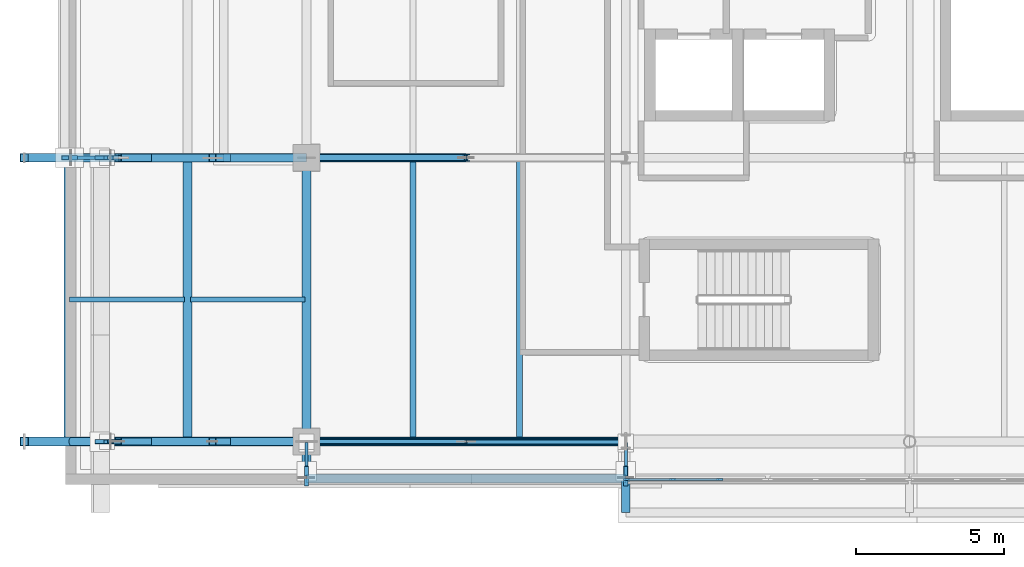
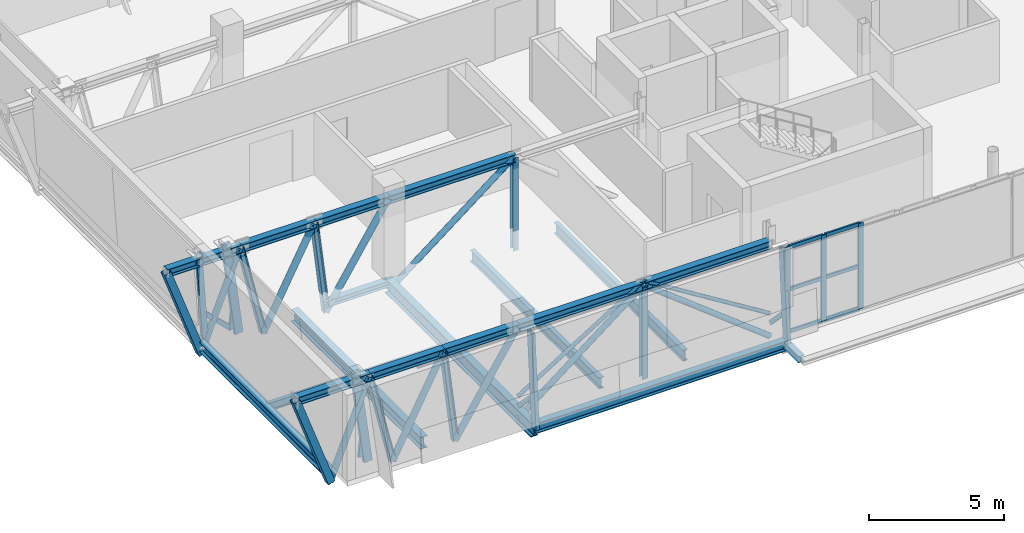
# One storey, part 13 of 57: 47 members, 10 beams, 1 element without a shape of its own.
"""IFC4 building model written with IfcOpenShell, lengths in metres."""

from ifc_helpers import new_model, si_unit, direction, frame, origin, origin_2d, place, context, subcontext, project, spatial, rectangle, hollow_rectangle, hollow_circle, i_section, extrude, material, layer, layer_set, material_profile, profile_set, type_object, element, aggregate, save


model = new_model("IFC4")

# Units and contexts
model_context = context("Model", 3, precision=1e-05, world=origin(), true_north=direction((0.0, 1.0)))
body_context = subcontext(model_context, "Body", "Model", "MODEL_VIEW")
ifc_project = project(units=[si_unit("LENGTHUNIT", "METRE"), si_unit("AREAUNIT", "SQUARE_METRE"), si_unit("VOLUMEUNIT", "CUBIC_METRE"), si_unit("PLANEANGLEUNIT", "RADIAN"), si_unit("MASSUNIT", "GRAM", prefix="KILO")], contexts=[model_context])

# Site, building, storey
site_placement = place(None, origin())
site = spatial("IfcSite", under=ifc_project, at=site_placement, CompositionType="ELEMENT")
building_placement = place(site_placement, origin())
building = spatial("IfcBuilding", under=site, at=building_placement, Name="Zereglee Splitstone Museum", CompositionType="ELEMENT")
storey_placement = place(building_placement, frame((0.0, 0.0, 17.10009765625)))
storey = spatial("IfcBuildingStorey", under=building, at=storey_placement, Name="L03", CompositionType="ELEMENT", Elevation=17.10009765625)

# Members
ifc_material_1 = material(Name="Steel S355J2H", Category="steel")
ifc_material_profile_1 = material_profile(ifc_material_1, hollow_circle(Radius=0.084228515625, WallThickness=0.008056640625, at=origin_2d()), Name="CHS 168.3x8")
ifc_profile_set_1 = profile_set([ifc_material_profile_1], Name="Steel S355J2H")
member_type_1 = type_object("IfcMemberType", Name="TB-05", PredefinedType="BRACE", material=ifc_profile_set_1)
for number, where, z_axis, x_axis, name in (
    (1, (9.60009765625, 0.0, 0.119873046875), (0.849044741702, 0.0, 0.528320950359), (0.0, 1.0, 0.0), "Lateral Braced Frame Chevron L03-003A"),
    (2, (20.39990234375, 0.0, 0.119873046875), (-0.849044741702, 0.0, 0.528320950359), (0.0, -1.0, 0.0), "Lateral Braced Frame Chevron L03-003B"),
):
    element("IfcMember", number, at=place(storey_placement, frame(where, z_axis=z_axis, x_axis=x_axis)), inside=storey, type_object=member_type_1, Name=name, PredefinedType="BRACE", context=body_context, shape_type="SweptSolid", body=[
        extrude(hollow_circle(Radius=0.084228515625, WallThickness=0.008056640625, at=origin_2d()), origin(), (0.0, 0.0, 1.0), 6.35986328125),
    ])
ifc_material_profile_2 = material_profile(ifc_material_1, hollow_circle(Radius=0.122314453125, WallThickness=0.012451171875, at=origin_2d()), Name="CHS 244.5x12.5")
ifc_profile_set_2 = profile_set([ifc_material_profile_2], Name="Steel S355J2H")
member_type_2 = type_object("IfcMemberType", Name="TB-02", PredefinedType="BRACE", material=ifc_profile_set_2)
for number, where, z_axis, x_axis, name in (
    (3, (9.60009765625, 0.0, -0.900146484375), (0.789350295703, 0.0, 0.613943084229), (0.0, 1.0, 0.0), "Cantilever Truss CT-01 Web Brace L03-4"),
    (4, (20.39990234375, 0.0, -0.900146484375), (-0.789350295703, 0.0, 0.613943084229), (0.0, -1.0, 0.0), "Cantilever Truss CT-01 Web Brace L03-5"),
    (5, (9.60009765625, 9.60009765625, -0.900146484375), (0.789350295703, 0.0, 0.613943084229), (0.0, 1.0, 0.0), "Cantilever Truss CT-02 Web Brace L03-4"),
):
    element("IfcMember", number, at=place(storey_placement, frame(where, z_axis=z_axis, x_axis=x_axis)), inside=storey, type_object=member_type_2, Name=name, PredefinedType="BRACE", context=body_context, shape_type="SweptSolid", body=[
        extrude(hollow_circle(Radius=0.122314453125, WallThickness=0.012451171875, at=origin_2d()), origin(), (0.0, 0.0, 1.0), 6.841064453125),
    ])
ifc_material_profile_3 = material_profile(ifc_material_1, hollow_circle(Radius=0.136474609375, WallThickness=0.012451171875, at=origin_2d()), Name="CHS 273.0x12.5")
ifc_profile_set_3 = profile_set([ifc_material_profile_3], Name="Steel S355J2H")
member_type_3 = type_object("IfcMemberType", Name="TB-01", PredefinedType="BRACE", material=ifc_profile_set_3)
member_1_placement = place(storey_placement, frame((1.550048828125, 0.0, -0.900146484375), z_axis=(0.372032488068, 0.0, 0.928219708809), x_axis=(0.0, 1.0, 0.0)))
element("IfcMember", 6, at=member_1_placement, inside=storey, type_object=member_type_3, Name="Cantilever Truss CT-01 Web Brace L03-1", PredefinedType="BRACE", context=body_context, shape_type="SweptSolid", body=[
    extrude(hollow_circle(Radius=0.136474609375, WallThickness=0.012451171875, at=origin_2d()), origin(), (0.0, 0.0, 1.0), 4.524658203125),
])
member_2_placement = place(storey_placement, frame((4.2333984375, 0.0, -0.900146484375), z_axis=(0.461248800946, 0.0, 0.887270840063), x_axis=(0.0, 1.0, 0.0)))
element("IfcMember", 7, at=member_2_placement, inside=storey, type_object=member_type_3, Name="Cantilever Truss CT-01 Web Brace L03-2", PredefinedType="BRACE", context=body_context, shape_type="SweptSolid", body=[
    extrude(hollow_circle(Radius=0.136474609375, WallThickness=0.012451171875, at=origin_2d()), origin(), (0.0, 0.0, 1.0), 4.733642578125),
])
member_3_placement = place(storey_placement, frame((6.916748046875, 0.0, -0.900146484375), z_axis=(0.538396041065, 0.0, 0.842691938353), x_axis=(0.0, 1.0, 0.0)))
element("IfcMember", 8, at=member_3_placement, inside=storey, type_object=member_type_3, Name="Cantilever Truss CT-01 Web Brace L03-3", PredefinedType="BRACE", context=body_context, shape_type="SweptSolid", body=[
    extrude(hollow_circle(Radius=0.136474609375, WallThickness=0.012451171875, at=origin_2d()), origin(), (0.0, 0.0, 1.0), 4.98388671875),
])
member_4_placement = place(storey_placement, frame((1.550048828125, 9.60009765625, -0.900146484375), z_axis=(0.372032488068, 0.0, 0.928219708809), x_axis=(0.0, 1.0, 0.0)))
element("IfcMember", 9, at=member_4_placement, inside=storey, type_object=member_type_3, Name="Cantilever Truss CT-02 Web Brace L03-1", PredefinedType="BRACE", context=body_context, shape_type="SweptSolid", body=[
    extrude(hollow_circle(Radius=0.136474609375, WallThickness=0.012451171875, at=origin_2d()), origin(), (0.0, 0.0, 1.0), 4.524658203125),
])
member_5_placement = place(storey_placement, frame((4.2333984375, 9.60009765625, -0.900146484375), z_axis=(0.461248800946, 0.0, 0.887270840063), x_axis=(0.0, 1.0, 0.0)))
element("IfcMember", 10, at=member_5_placement, inside=storey, type_object=member_type_3, Name="Cantilever Truss CT-02 Web Brace L03-2", PredefinedType="BRACE", context=body_context, shape_type="SweptSolid", body=[
    extrude(hollow_circle(Radius=0.136474609375, WallThickness=0.012451171875, at=origin_2d()), origin(), (0.0, 0.0, 1.0), 4.733642578125),
])
member_6_placement = place(storey_placement, frame((6.916748046875, 9.60009765625, -0.900146484375), z_axis=(0.538396041065, 0.0, 0.842691938353), x_axis=(0.0, 1.0, 0.0)))
element("IfcMember", 11, at=member_6_placement, inside=storey, type_object=member_type_3, Name="Cantilever Truss CT-02 Web Brace L03-3", PredefinedType="BRACE", context=body_context, shape_type="SweptSolid", body=[
    extrude(hollow_circle(Radius=0.136474609375, WallThickness=0.012451171875, at=origin_2d()), origin(), (0.0, 0.0, 1.0), 4.98388671875),
])

# Curtain wall, members
ifc_material_2 = material(Name="Triple-glazed low-E argon glass and bronze-anodised aluminium", Category="aluminium")
ifc_layer = layer(ifc_material_2, 0.219970703125)
ifc_layer_set = layer_set([ifc_layer], Name="Triple-glazed low-E argon glass and bronze-anodised aluminium")
curtain_wall_type = type_object("IfcCurtainWallType", Name="CW-0476-390", PredefinedType="USERDEFINED", material=ifc_layer_set)
curtain_wall_placement = place(storey_placement, origin())
curtain_wall = element("IfcCurtainWall", 12, at=curtain_wall_placement, inside=storey, type_object=curtain_wall_type, Name="Glazed Curtain Wall CW-0476-390 (L03)", ObjectType="GLAZED CURTAIN WALL", PredefinedType="USERDEFINED")
ifc_material_3 = material(Name="Thermally broken bronze-anodised aluminium", Category="aluminium")
ifc_material_profile_4 = material_profile(ifc_material_3, rectangle(XDim=0.074951171875, YDim=0.219970703125, at=origin_2d()), Name="CW MULL 75x220")
ifc_profile_set_4 = profile_set([ifc_material_profile_4], Name="Thermally broken bronze-anodised aluminium")
member_type_4 = type_object("IfcMemberType", Name="CWM-02", PredefinedType="MULLION", material=ifc_profile_set_4)
member_7_placement = place(storey_placement, frame((20.4375, -1.280029296875, 0.0), z_axis=(0.0, 0.0, 1.0), x_axis=(0.0, 1.0, 0.0)))
member_7 = element("IfcMember", 13, at=member_7_placement, type_object=member_type_4, Name="CW-0476-390 mullion 1", PredefinedType="MULLION", context=body_context, shape_type="SweptSolid", body=[
    extrude(rectangle(XDim=0.074951171875, YDim=0.219970703125, at=origin_2d()), origin(), (0.0, 0.0, 1.0), 3.89990234375),
])
member_8_placement = place(storey_placement, frame((21.986572265625, -1.280029296875, 0.0), z_axis=(0.0, 0.0, 1.0), x_axis=(0.0, 1.0, 0.0)))
member_8 = element("IfcMember", 14, at=member_8_placement, type_object=member_type_4, Name="CW-0476-390 mullion 2", PredefinedType="MULLION", context=body_context, shape_type="SweptSolid", body=[
    extrude(rectangle(XDim=0.074951171875, YDim=0.219970703125, at=origin_2d()), origin(), (0.0, 0.0, 1.0), 3.89990234375),
])
member_9_placement = place(storey_placement, frame((23.5732421875, -1.280029296875, 0.0), z_axis=(0.0, 0.0, 1.0), x_axis=(0.0, 1.0, 0.0)))
member_9 = element("IfcMember", 15, at=member_9_placement, type_object=member_type_4, Name="CW-0476-390 mullion 3", PredefinedType="MULLION", context=body_context, shape_type="SweptSolid", body=[
    extrude(rectangle(XDim=0.074951171875, YDim=0.219970703125, at=origin_2d()), origin(), (0.0, 0.0, 1.0), 3.89990234375),
])
ifc_material_profile_5 = material_profile(ifc_material_3, rectangle(XDim=0.074951171875, YDim=0.1650390625, at=origin_2d()), Name="CW TRAN 75x165")
ifc_profile_set_5 = profile_set([ifc_material_profile_5], Name="Thermally broken bronze-anodised aluminium")
member_type_5 = type_object("IfcMemberType", Name="CWT-02", PredefinedType="USERDEFINED", material=ifc_profile_set_5)
member_10_placement = place(storey_placement, frame((20.47509765625, -1.280029296875, 0.037353515625), z_axis=(1.0, 0.0, 0.0), x_axis=(0.0, 1.0, 0.0)))
member_10 = element("IfcMember", 16, at=member_10_placement, type_object=member_type_5, Name="CW-0476-390 transom 1.1", ObjectType="TRANSOM", PredefinedType="USERDEFINED", context=body_context, shape_type="SweptSolid", body=[
    extrude(rectangle(XDim=0.074951171875, YDim=0.1650390625, at=origin_2d()), origin(), (0.0, 0.0, 1.0), 1.47412109375),
])
member_11_placement = place(storey_placement, frame((20.47509765625, -1.280029296875, 1.949951171875), z_axis=(1.0, 0.0, 0.0), x_axis=(0.0, 1.0, 0.0)))
member_11 = element("IfcMember", 17, at=member_11_placement, type_object=member_type_5, Name="CW-0476-390 transom 1.2", ObjectType="TRANSOM", PredefinedType="USERDEFINED", context=body_context, shape_type="SweptSolid", body=[
    extrude(rectangle(XDim=0.074951171875, YDim=0.1650390625, at=origin_2d()), origin(), (0.0, 0.0, 1.0), 1.47412109375),
])
member_12_placement = place(storey_placement, frame((20.47509765625, -1.280029296875, 3.8623046875), z_axis=(1.0, 0.0, 0.0), x_axis=(0.0, 1.0, 0.0)))
member_12 = element("IfcMember", 18, at=member_12_placement, type_object=member_type_5, Name="CW-0476-390 transom 1.3", ObjectType="TRANSOM", PredefinedType="USERDEFINED", context=body_context, shape_type="SweptSolid", body=[
    extrude(rectangle(XDim=0.074951171875, YDim=0.1650390625, at=origin_2d()), origin(), (0.0, 0.0, 1.0), 1.47412109375),
])
member_13_placement = place(storey_placement, frame((22.024169921875, -1.280029296875, 0.037353515625), z_axis=(1.0, 0.0, 0.0), x_axis=(0.0, 1.0, 0.0)))
member_13 = element("IfcMember", 19, at=member_13_placement, type_object=member_type_5, Name="CW-0476-390 transom 2.1", ObjectType="TRANSOM", PredefinedType="USERDEFINED", context=body_context, shape_type="SweptSolid", body=[
    extrude(rectangle(XDim=0.074951171875, YDim=0.1650390625, at=origin_2d()), origin(), (0.0, 0.0, 1.0), 1.51171875),
])
member_14_placement = place(storey_placement, frame((22.024169921875, -1.280029296875, 1.949951171875), z_axis=(1.0, 0.0, 0.0), x_axis=(0.0, 1.0, 0.0)))
member_14 = element("IfcMember", 20, at=member_14_placement, type_object=member_type_5, Name="CW-0476-390 transom 2.2", ObjectType="TRANSOM", PredefinedType="USERDEFINED", context=body_context, shape_type="SweptSolid", body=[
    extrude(rectangle(XDim=0.074951171875, YDim=0.1650390625, at=origin_2d()), origin(), (0.0, 0.0, 1.0), 1.51171875),
])
member_15_placement = place(storey_placement, frame((22.024169921875, -1.280029296875, 3.8623046875), z_axis=(1.0, 0.0, 0.0), x_axis=(0.0, 1.0, 0.0)))
member_15 = element("IfcMember", 21, at=member_15_placement, type_object=member_type_5, Name="CW-0476-390 transom 2.3", ObjectType="TRANSOM", PredefinedType="USERDEFINED", context=body_context, shape_type="SweptSolid", body=[
    extrude(rectangle(XDim=0.074951171875, YDim=0.1650390625, at=origin_2d()), origin(), (0.0, 0.0, 1.0), 1.51171875),
])
aggregate(curtain_wall, [member_7, member_8, member_9, member_10, member_11, member_12, member_13, member_14, member_15])

# Members
ifc_material_4 = material(Name="Steel S355J2", Category="steel")
ifc_material_profile_6 = material_profile(ifc_material_4, i_section(OverallWidth=0.300048828125, OverallDepth=0.360107421875, WebThickness=0.012451171875, FlangeThickness=0.0224609375, FilletRadius=0.027099609375, at=origin_2d()), Name="HE 360 B")
ifc_profile_set_6 = profile_set([ifc_material_profile_6], Name="Steel S355J2")
member_type_6 = type_object("IfcMemberType", Name="TC-06", PredefinedType="CHORD", material=ifc_profile_set_6)
for number, where, z_axis, x_axis, name in (
    (22, (0.050048828125, 0.0, 3.2998046875), (1.0, 0.0, 0.0), (0.0, 1.0, 0.0), "Cantilever Truss CT-01 Top Chord L03-1"),
    (23, (3.2333984375, 0.0, 3.2998046875), (1.0, 0.0, 0.0), (0.0, 1.0, 0.0), "Cantilever Truss CT-01 Top Chord L03-2"),
    (24, (6.416748046875, 0.0, 3.2998046875), (1.0, 0.0, 0.0), (0.0, 1.0, 0.0), "Cantilever Truss CT-01 Top Chord L03-3"),
):
    element("IfcMember", number, at=place(storey_placement, frame(where, z_axis=z_axis, x_axis=x_axis)), inside=storey, type_object=member_type_6, Name=name, PredefinedType="CHORD", context=body_context, shape_type="SweptSolid", body=[
        extrude(i_section(OverallWidth=0.300048828125, OverallDepth=0.360107421875, WebThickness=0.012451171875, FlangeThickness=0.0224609375, FilletRadius=0.027099609375, at=origin_2d()), origin(), (0.0, 0.0, 1.0), 3.183349609375),
    ])
for number, where, z_axis, x_axis, name in (
    (25, (9.60009765625, 0.0, 3.2998046875), (1.0, 0.0, 0.0), (0.0, 1.0, 0.0), "Cantilever Truss CT-01 Top Chord L03-4"),
    (26, (15.0, 0.0, 3.2998046875), (1.0, 0.0, 0.0), (0.0, 1.0, 0.0), "Cantilever Truss CT-01 Top Chord L03-5"),
):
    element("IfcMember", number, at=place(storey_placement, frame(where, z_axis=z_axis, x_axis=x_axis)), inside=storey, type_object=member_type_6, Name=name, PredefinedType="CHORD", context=body_context, shape_type="SweptSolid", body=[
        extrude(i_section(OverallWidth=0.300048828125, OverallDepth=0.360107421875, WebThickness=0.012451171875, FlangeThickness=0.0224609375, FilletRadius=0.027099609375, at=origin_2d()), origin(), (0.0, 0.0, 1.0), 5.39990234375),
    ])
for number, where, z_axis, x_axis, name in (
    (27, (0.050048828125, 9.60009765625, 3.2998046875), (1.0, 0.0, 0.0), (0.0, 1.0, 0.0), "Cantilever Truss CT-02 Top Chord L03-1"),
    (28, (3.2333984375, 9.60009765625, 3.2998046875), (1.0, 0.0, 0.0), (0.0, 1.0, 0.0), "Cantilever Truss CT-02 Top Chord L03-2"),
    (29, (6.416748046875, 9.60009765625, 3.2998046875), (1.0, 0.0, 0.0), (0.0, 1.0, 0.0), "Cantilever Truss CT-02 Top Chord L03-3"),
):
    element("IfcMember", number, at=place(storey_placement, frame(where, z_axis=z_axis, x_axis=x_axis)), inside=storey, type_object=member_type_6, Name=name, PredefinedType="CHORD", context=body_context, shape_type="SweptSolid", body=[
        extrude(i_section(OverallWidth=0.300048828125, OverallDepth=0.360107421875, WebThickness=0.012451171875, FlangeThickness=0.0224609375, FilletRadius=0.027099609375, at=origin_2d()), origin(), (0.0, 0.0, 1.0), 3.183349609375),
    ])
member_16_placement = place(storey_placement, frame((9.60009765625, 9.60009765625, 3.2998046875), z_axis=(1.0, 0.0, 0.0), x_axis=(0.0, 1.0, 0.0)))
element("IfcMember", 30, at=member_16_placement, inside=storey, type_object=member_type_6, Name="Cantilever Truss CT-02 Top Chord L03-4", PredefinedType="CHORD", context=body_context, shape_type="SweptSolid", body=[
    extrude(i_section(OverallWidth=0.300048828125, OverallDepth=0.360107421875, WebThickness=0.012451171875, FlangeThickness=0.0224609375, FilletRadius=0.027099609375, at=origin_2d()), origin(), (0.0, 0.0, 1.0), 5.39990234375),
])

# Beams
ifc_material_profile_7 = material_profile(ifc_material_4, i_section(OverallWidth=0.300048828125, OverallDepth=0.550048828125, WebThickness=0.014892578125, FlangeThickness=0.029052734375, FilletRadius=0.027099609375, at=origin_2d()), Name="HE 550 B")
ifc_profile_set_7 = profile_set([ifc_material_profile_7], Name="Steel S355J2")
beam_type_1 = type_object("IfcBeamType", Name="BG-11", PredefinedType="BEAM", material=ifc_profile_set_7)
beam_1_placement = place(storey_placement, frame((5.574951171875, 0.0, -0.55517578125), z_axis=(0.0, 1.0, 0.0), x_axis=(-1.0, 0.0, 0.0)))
element("IfcBeam", 31, at=beam_1_placement, inside=storey, type_object=beam_type_1, Name="Cantilever Transverse Girder L03 X=5.58", PredefinedType="BEAM", context=body_context, shape_type="SweptSolid", body=[
    extrude(i_section(OverallWidth=0.300048828125, OverallDepth=0.550048828125, WebThickness=0.014892578125, FlangeThickness=0.029052734375, FilletRadius=0.027099609375, at=origin_2d()), origin(), (0.0, 0.0, 1.0), 9.60009765625),
])
ifc_material_profile_8 = material_profile(ifc_material_4, i_section(OverallWidth=0.300048828125, OverallDepth=0.64990234375, WebThickness=0.01611328125, FlangeThickness=0.031005859375, FilletRadius=0.027099609375, at=origin_2d()), Name="HE 650 B")
ifc_profile_set_8 = profile_set([ifc_material_profile_8], Name="Steel S355J2")
beam_type_2 = type_object("IfcBeamType", Name="BG-09", PredefinedType="BEAM", material=ifc_profile_set_8)
beam_2_placement = place(storey_placement, frame((9.60009765625, -1.25, -0.60498046875), z_axis=(0.0, 1.0, 0.0), x_axis=(-1.0, 0.0, 0.0)))
element("IfcBeam", 32, at=beam_2_placement, inside=storey, type_object=beam_type_2, Name="Primary Girder L03 2 (-1.2-9.6)", PredefinedType="BEAM", context=body_context, shape_type="SweptSolid", body=[
    extrude(i_section(OverallWidth=0.300048828125, OverallDepth=0.64990234375, WebThickness=0.01611328125, FlangeThickness=0.031005859375, FilletRadius=0.027099609375, at=origin_2d()), origin(), (0.0, 0.0, 1.0), 10.85009765625),
])
ifc_material_profile_9 = material_profile(ifc_material_4, i_section(OverallWidth=0.169921875, OverallDepth=0.360107421875, WebThickness=0.008056640625, FlangeThickness=0.0126953125, FilletRadius=0.01806640625, at=origin_2d()), Name="IPE 360")
ifc_profile_set_9 = profile_set([ifc_material_profile_9], Name="Steel S355J2")
beam_type_3 = type_object("IfcBeamType", Name="BJ-04", PredefinedType="JOIST", material=ifc_profile_set_9)
beam_3_placement = place(storey_placement, frame((1.590087890625, 4.800048828125, -0.460205078125), z_axis=(1.0, 0.0, 0.0), x_axis=(0.0, 1.0, 0.0)))
element("IfcBeam", 33, at=beam_3_placement, inside=storey, type_object=beam_type_3, Name="Cantilever Floor Joist L03-1624", PredefinedType="JOIST", context=body_context, shape_type="SweptSolid", body=[
    extrude(i_section(OverallWidth=0.169921875, OverallDepth=0.360107421875, WebThickness=0.008056640625, FlangeThickness=0.0126953125, FilletRadius=0.01806640625, at=origin_2d()), origin(), (0.0, 0.0, 1.0), 3.885009765625),
])
beam_4_placement = place(storey_placement, frame((5.675048828125, 4.800048828125, -0.460205078125), z_axis=(1.0, 0.0, 0.0), x_axis=(0.0, 1.0, 0.0)))
element("IfcBeam", 34, at=beam_4_placement, inside=storey, type_object=beam_type_3, Name="Cantilever Floor Joist L03-1625", PredefinedType="JOIST", context=body_context, shape_type="SweptSolid", body=[
    extrude(i_section(OverallWidth=0.169921875, OverallDepth=0.360107421875, WebThickness=0.008056640625, FlangeThickness=0.0126953125, FilletRadius=0.01806640625, at=origin_2d()), origin(), (0.0, 0.0, 1.0), 3.875),
])
ifc_material_profile_10 = material_profile(ifc_material_4, i_section(OverallWidth=0.199951171875, OverallDepth=0.5, WebThickness=0.01025390625, FlangeThickness=0.01611328125, FilletRadius=0.02099609375, at=origin_2d()), Name="IPE 500")
ifc_profile_set_10 = profile_set([ifc_material_profile_10], Name="Steel S355J2")
beam_type_4 = type_object("IfcBeamType", Name="BJ-01", PredefinedType="JOIST", material=ifc_profile_set_10)
for number, where, z_axis, x_axis, name in (
    (35, (13.199951171875, 0.0, -0.530029296875), (0.0, 1.0, 0.0), (-1.0, 0.0, 0.0), "Secondary Floor Joist L03-1302"),
    (36, (16.800048828125, 0.0, -0.530029296875), (0.0, 1.0, 0.0), (-1.0, 0.0, 0.0), "Secondary Floor Joist L03-1303"),
):
    element("IfcBeam", number, at=place(storey_placement, frame(where, z_axis=z_axis, x_axis=x_axis)), inside=storey, type_object=beam_type_4, Name=name, PredefinedType="JOIST", context=body_context, shape_type="SweptSolid", body=[
        extrude(i_section(OverallWidth=0.199951171875, OverallDepth=0.5, WebThickness=0.01025390625, FlangeThickness=0.01611328125, FilletRadius=0.02099609375, at=origin_2d()), origin(), (0.0, 0.0, 1.0), 9.60009765625),
    ])

# Members
ifc_material_profile_11 = material_profile(ifc_material_4, i_section(OverallWidth=0.239990234375, OverallDepth=0.239990234375, WebThickness=0.010009765625, FlangeThickness=0.01708984375, FilletRadius=0.02099609375, at=origin_2d()), Name="HE 240 B")
ifc_profile_set_11 = profile_set([ifc_material_profile_11], Name="Steel S355J2")
member_type_7 = type_object("IfcMemberType", Name="TP-02", PredefinedType="POST", material=ifc_profile_set_11)
member_17_placement = place(storey_placement, frame((4.2333984375, 0.0, -0.900146484375), z_axis=(-0.231623075633, 0.0, 0.972805607937), x_axis=(0.0, -1.0, 0.0)))
element("IfcMember", 37, at=member_17_placement, inside=storey, type_object=member_type_7, Name="Cantilever Truss CT-01 Post L03-2", PredefinedType="POST", context=body_context, shape_type="SweptSolid", body=[
    extrude(i_section(OverallWidth=0.239990234375, OverallDepth=0.239990234375, WebThickness=0.010009765625, FlangeThickness=0.01708984375, FilletRadius=0.02099609375, at=origin_2d()), origin(), (0.0, 0.0, 1.0), 4.3173828125),
])
member_18_placement = place(storey_placement, frame((6.916748046875, 0.0, -0.900146484375), z_axis=(-0.118214244908, 0.0, 0.99298811287), x_axis=(0.0, -1.0, 0.0)))
element("IfcMember", 38, at=member_18_placement, inside=storey, type_object=member_type_7, Name="Cantilever Truss CT-01 Post L03-3", PredefinedType="POST", context=body_context, shape_type="SweptSolid", body=[
    extrude(i_section(OverallWidth=0.239990234375, OverallDepth=0.239990234375, WebThickness=0.010009765625, FlangeThickness=0.01708984375, FilletRadius=0.02099609375, at=origin_2d()), origin(), (0.0, 0.0, 1.0), 4.2294921875),
])
member_19_placement = place(storey_placement, frame((15.0, 0.0, -0.900146484375), z_axis=(0.0, 0.0, 1.0), x_axis=(1.0, 0.0, 0.0)))
element("IfcMember", 39, at=member_19_placement, inside=storey, type_object=member_type_7, Name="Cantilever Truss CT-01 Post L03-4", PredefinedType="POST", context=body_context, shape_type="SweptSolid", body=[
    extrude(i_section(OverallWidth=0.239990234375, OverallDepth=0.239990234375, WebThickness=0.010009765625, FlangeThickness=0.01708984375, FilletRadius=0.02099609375, at=origin_2d()), origin(), (0.0, 0.0, 1.0), 4.199951171875),
])
member_20_placement = place(storey_placement, frame((4.2333984375, 9.60009765625, -0.900146484375), z_axis=(-0.231623075633, 0.0, 0.972805607937), x_axis=(0.0, -1.0, 0.0)))
element("IfcMember", 40, at=member_20_placement, inside=storey, type_object=member_type_7, Name="Cantilever Truss CT-02 Post L03-2", PredefinedType="POST", context=body_context, shape_type="SweptSolid", body=[
    extrude(i_section(OverallWidth=0.239990234375, OverallDepth=0.239990234375, WebThickness=0.010009765625, FlangeThickness=0.01708984375, FilletRadius=0.02099609375, at=origin_2d()), origin(), (0.0, 0.0, 1.0), 4.3173828125),
])
member_21_placement = place(storey_placement, frame((6.916748046875, 9.60009765625, -0.900146484375), z_axis=(-0.118214244908, 0.0, 0.99298811287), x_axis=(0.0, -1.0, 0.0)))
element("IfcMember", 41, at=member_21_placement, inside=storey, type_object=member_type_7, Name="Cantilever Truss CT-02 Post L03-3", PredefinedType="POST", context=body_context, shape_type="SweptSolid", body=[
    extrude(i_section(OverallWidth=0.239990234375, OverallDepth=0.239990234375, WebThickness=0.010009765625, FlangeThickness=0.01708984375, FilletRadius=0.02099609375, at=origin_2d()), origin(), (0.0, 0.0, 1.0), 4.2294921875),
])
member_22_placement = place(storey_placement, frame((15.0, 9.60009765625, -0.900146484375), z_axis=(0.0, 0.0, 1.0), x_axis=(1.0, 0.0, 0.0)))
element("IfcMember", 42, at=member_22_placement, inside=storey, type_object=member_type_7, Name="Cantilever Truss CT-02 Post L03-4", PredefinedType="POST", context=body_context, shape_type="SweptSolid", body=[
    extrude(i_section(OverallWidth=0.239990234375, OverallDepth=0.239990234375, WebThickness=0.010009765625, FlangeThickness=0.01708984375, FilletRadius=0.02099609375, at=origin_2d()), origin(), (0.0, 0.0, 1.0), 4.199951171875),
])
ifc_material_profile_12 = material_profile(ifc_material_1, hollow_rectangle(XDim=0.300048828125, YDim=0.300048828125, WallThickness=0.01611328125, at=origin_2d()), Name="SHS 300x300x16")
ifc_profile_set_12 = profile_set([ifc_material_profile_12], Name="Steel S355J2H")
member_type_8 = type_object("IfcMemberType", Name="TP-01", PredefinedType="POST", material=ifc_profile_set_12)
for number, where, z_axis, x_axis, name in (
    (43, (1.550048828125, 0.0, -0.900146484375), (-0.336339864867, 0.0, 0.941740673063), (0.0, -1.0, 0.0), "Cantilever Truss CT-01 Post L03-1"),
    (44, (1.550048828125, 9.60009765625, -0.900146484375), (-0.336339864867, 0.0, 0.941740673063), (0.0, -1.0, 0.0), "Cantilever Truss CT-02 Post L03-1"),
):
    element("IfcMember", number, at=place(storey_placement, frame(where, z_axis=z_axis, x_axis=x_axis)), inside=storey, type_object=member_type_8, Name=name, PredefinedType="POST", context=body_context, shape_type="SweptSolid", body=[
        extrude(hollow_rectangle(XDim=0.300048828125, YDim=0.300048828125, WallThickness=0.01611328125, at=origin_2d()), origin(), (0.0, 0.0, 1.0), 4.459716796875),
    ])

# Beams
ifc_material_profile_13 = material_profile(ifc_material_4, i_section(OverallWidth=0.280029296875, OverallDepth=0.280029296875, WebThickness=0.010498046875, FlangeThickness=0.01806640625, FilletRadius=0.02392578125, at=origin_2d()), Name="HE 280 B")
ifc_profile_set_13 = profile_set([ifc_material_profile_13], Name="Steel S355J2")
beam_type_5 = type_object("IfcBeamType", Name="SP-03", PredefinedType="SPANDREL", material=ifc_profile_set_13)
beam_5_placement = place(storey_placement, frame((6.800048828125, 9.60009765625, -0.505126953125), z_axis=(1.0, 0.0, 0.0), x_axis=(0.0, 1.0, 0.0)))
element("IfcBeam", 45, at=beam_5_placement, inside=storey, type_object=beam_type_5, Name="Pishtaq Return Tie Beam PSQ-WEST-1 (9.6)", PredefinedType="SPANDREL", context=body_context, shape_type="SweptSolid", body=[
    extrude(i_section(OverallWidth=0.280029296875, OverallDepth=0.280029296875, WebThickness=0.010498046875, FlangeThickness=0.01806640625, FilletRadius=0.02392578125, at=origin_2d()), origin(), (0.0, 0.0, 1.0), 2.800048828125),
])
beam_6_placement = place(storey_placement, frame((20.39990234375, -2.39990234375, -0.505126953125), z_axis=(0.0, 1.0, 0.0), x_axis=(-1.0, 0.0, 0.0)))
element("IfcBeam", 46, at=beam_6_placement, inside=storey, type_object=beam_type_5, Name="Pishtaq Return Tie Beam PSQ-SV1-1 (20.4)", PredefinedType="SPANDREL", context=body_context, shape_type="SweptSolid", body=[
    extrude(i_section(OverallWidth=0.280029296875, OverallDepth=0.280029296875, WebThickness=0.010498046875, FlangeThickness=0.01806640625, FilletRadius=0.02392578125, at=origin_2d()), origin(), (0.0, 0.0, 1.0), 1.14990234375),
])
ifc_material_profile_14 = material_profile(ifc_material_4, i_section(OverallWidth=0.300048828125, OverallDepth=0.449951171875, WebThickness=0.013916015625, FlangeThickness=0.02587890625, FilletRadius=0.027099609375, at=origin_2d()), Name="HE 450 B")
ifc_profile_set_14 = profile_set([ifc_material_profile_14], Name="Steel S355J2")
beam_type_6 = type_object("IfcBeamType", Name="SP-02", PredefinedType="SPANDREL", material=ifc_profile_set_14)
beam_7_placement = place(storey_placement, frame((9.60009765625, -1.25, -0.505126953125), z_axis=(1.0, 0.0, 0.0), x_axis=(0.0, 1.0, 0.0)))
element("IfcBeam", 47, at=beam_7_placement, inside=storey, type_object=beam_type_6, Name="Hovering Soffit Spandrel L03 (9.6-20.4)", PredefinedType="SPANDREL", context=body_context, shape_type="SweptSolid", body=[
    extrude(i_section(OverallWidth=0.300048828125, OverallDepth=0.449951171875, WebThickness=0.013916015625, FlangeThickness=0.02587890625, FilletRadius=0.027099609375, at=origin_2d()), origin(), (0.0, 0.0, 1.0), 10.7998046875),
])
beam_8_placement = place(storey_placement, frame((1.550048828125, 0.0, -0.505126953125), z_axis=(0.0, 1.0, 0.0), x_axis=(-1.0, 0.0, 0.0)))
element("IfcBeam", 48, at=beam_8_placement, inside=storey, type_object=beam_type_6, Name="Cantilever Transverse Girder L03 X=1.55", PredefinedType="SPANDREL", context=body_context, shape_type="SweptSolid", body=[
    extrude(i_section(OverallWidth=0.300048828125, OverallDepth=0.449951171875, WebThickness=0.013916015625, FlangeThickness=0.02587890625, FilletRadius=0.027099609375, at=origin_2d()), origin(), (0.0, 0.0, 1.0), 9.60009765625),
])

# Members
ifc_material_profile_15 = material_profile(ifc_material_1, hollow_rectangle(XDim=0.14990234375, YDim=0.25, WallThickness=0.010009765625, at=origin_2d()), Name="RHS 250x150x10")
ifc_profile_set_15 = profile_set([ifc_material_profile_15], Name="Steel S355J2H")
member_type_9 = type_object("IfcMemberType", Name="FS-R2", PredefinedType="STRUT", material=ifc_profile_set_15)
member_23_placement = place(storey_placement, frame((1.7265625, 9.60009765625, -0.530029296875), z_axis=(-0.067706583121, 0.0, 0.997705276423), x_axis=(0.0, -1.0, 0.0)))
element("IfcMember", 49, at=member_23_placement, inside=storey, type_object=member_type_9, Name="Split-Rock Continuous Facet Strut FH-V1W-M L03-01", PredefinedType="STRUT", context=body_context, shape_type="SweptSolid", body=[
    extrude(hollow_rectangle(XDim=0.14990234375, YDim=0.25, WallThickness=0.010009765625, at=origin_2d()), origin(), (0.0, 0.0, 1.0), 4.229736328125),
])
ifc_material_profile_16 = material_profile(ifc_material_1, hollow_rectangle(XDim=0.14990234375, YDim=0.35009765625, WallThickness=0.012451171875, at=origin_2d()), Name="RHS 350x150x12.5")
ifc_profile_set_16 = profile_set([ifc_material_profile_16], Name="Steel S355J2H")
member_type_10 = type_object("IfcMemberType", Name="FS-R0", PredefinedType="STRUT", material=ifc_profile_set_16)
for number, where, z_axis, x_axis, name in (
    (50, (3.156982421875, 0.0, -0.530029296875), (-0.128348172023, 0.0, 0.991729170055), (0.0, -1.0, 0.0), "Split-Rock Continuous Facet Strut FH-V1W-S L03-01"),
    (51, (3.156982421875, 9.60009765625, -0.530029296875), (-0.128348172023, 0.0, 0.991729170055), (0.0, -1.0, 0.0), "Split-Rock Continuous Facet Strut FH-V1W-S L03-02"),
):
    element("IfcMember", number, at=place(storey_placement, frame(where, z_axis=z_axis, x_axis=x_axis)), inside=storey, type_object=member_type_10, Name=name, PredefinedType="STRUT", context=body_context, shape_type="SweptSolid", body=[
        extrude(hollow_rectangle(XDim=0.14990234375, YDim=0.35009765625, WallThickness=0.012451171875, at=origin_2d()), origin(), (0.0, 0.0, 1.0), 4.255126953125),
    ])
for number, where, z_axis, x_axis, name in (
    (52, (9.60009765625, -1.33154296875, -0.530029296875), (0.0, 0.076775897413, 0.997048374742), (-1.0, 0.0, 0.0), "Split-Rock Continuous Facet Strut FH-V1S-W L03-01"),
    (53, (20.39990234375, -1.33154296875, -0.530029296875), (0.0, 0.076775897413, 0.997048374742), (-1.0, 0.0, 0.0), "Split-Rock Continuous Facet Strut FH-V1S-W L03-02"),
):
    element("IfcMember", number, at=place(storey_placement, frame(where, z_axis=z_axis, x_axis=x_axis)), inside=storey, type_object=member_type_10, Name=name, PredefinedType="STRUT", context=body_context, shape_type="SweptSolid", body=[
        extrude(hollow_rectangle(XDim=0.14990234375, YDim=0.35009765625, WallThickness=0.012451171875, at=origin_2d()), origin(), (0.0, 0.0, 1.0), 4.232421875),
    ])
ifc_material_profile_17 = material_profile(ifc_material_1, hollow_rectangle(XDim=0.10009765625, YDim=0.179931640625, WallThickness=0.008056640625, at=origin_2d()), Name="RHS 180x100x8")
ifc_profile_set_17 = profile_set([ifc_material_profile_17], Name="Steel S355J2H")
member_type_11 = type_object("IfcMemberType", Name="FS-T2", PredefinedType="STRUT", material=ifc_profile_set_17)
for number, where, z_axis, x_axis, name in (
    (54, (9.60009765625, -0.10009765625, -0.239990234375), (0.0, -0.694581001914, 0.719414506234), (1.0, 0.0, 0.0), "Facet Tie-Back Strut FH-V1S-W L03-01"),
    (55, (20.39990234375, -0.10009765625, -0.239990234375), (0.0, -0.694581001914, 0.719414506234), (1.0, 0.0, 0.0), "Facet Tie-Back Strut FH-V1S-W L03-02"),
):
    element("IfcMember", number, at=place(storey_placement, frame(where, z_axis=z_axis, x_axis=x_axis)), inside=storey, type_object=member_type_11, Name=name, PredefinedType="STRUT", context=body_context, shape_type="SweptSolid", body=[
        extrude(hollow_rectangle(XDim=0.10009765625, YDim=0.179931640625, WallThickness=0.008056640625, at=origin_2d()), origin(), (0.0, 0.0, 1.0), 1.6123046875),
    ])
ifc_material_profile_18 = material_profile(ifc_material_1, hollow_rectangle(XDim=0.1201171875, YDim=0.199951171875, WallThickness=0.008056640625, at=origin_2d()), Name="RHS 200x120x8")
ifc_profile_set_18 = profile_set([ifc_material_profile_18], Name="Steel S355J2H")
member_type_12 = type_object("IfcMemberType", Name="FS-T1", PredefinedType="STRUT", material=ifc_profile_set_18)
for number, where, z_axis, x_axis, name in (
    (56, (2.85009765625, 0.0, -0.239990234375), (0.102177623871, 0.0, 0.994766170102), (0.0, 1.0, 0.0), "Facet Tie-Back Strut FH-V1W-S L03-01"),
    (57, (2.85009765625, 9.60009765625, -0.239990234375), (0.102177623871, 0.0, 0.994766170102), (0.0, 1.0, 0.0), "Facet Tie-Back Strut FH-V1W-S L03-02"),
):
    element("IfcMember", number, at=place(storey_placement, frame(where, z_axis=z_axis, x_axis=x_axis)), inside=storey, type_object=member_type_12, Name=name, PredefinedType="STRUT", context=body_context, shape_type="SweptSolid", body=[
        extrude(hollow_rectangle(XDim=0.1201171875, YDim=0.199951171875, WallThickness=0.008056640625, at=origin_2d()), origin(), (0.0, 0.0, 1.0), 1.166015625),
    ])
member_24_placement = place(storey_placement, frame((2.85009765625, 9.60009765625, -0.239990234375), z_axis=(-0.72527072511, 0.0, 0.68846377922), x_axis=(0.0, -1.0, 0.0)))
element("IfcMember", 58, at=member_24_placement, inside=storey, type_object=member_type_12, Name="Facet Tie-Back Strut FH-V1W-M L03-01", PredefinedType="STRUT", context=body_context, shape_type="SweptSolid", body=[
    extrude(hollow_rectangle(XDim=0.1201171875, YDim=0.199951171875, WallThickness=0.008056640625, at=origin_2d()), origin(), (0.0, 0.0, 1.0), 1.684814453125),
])

save(model, "model.ifc")
